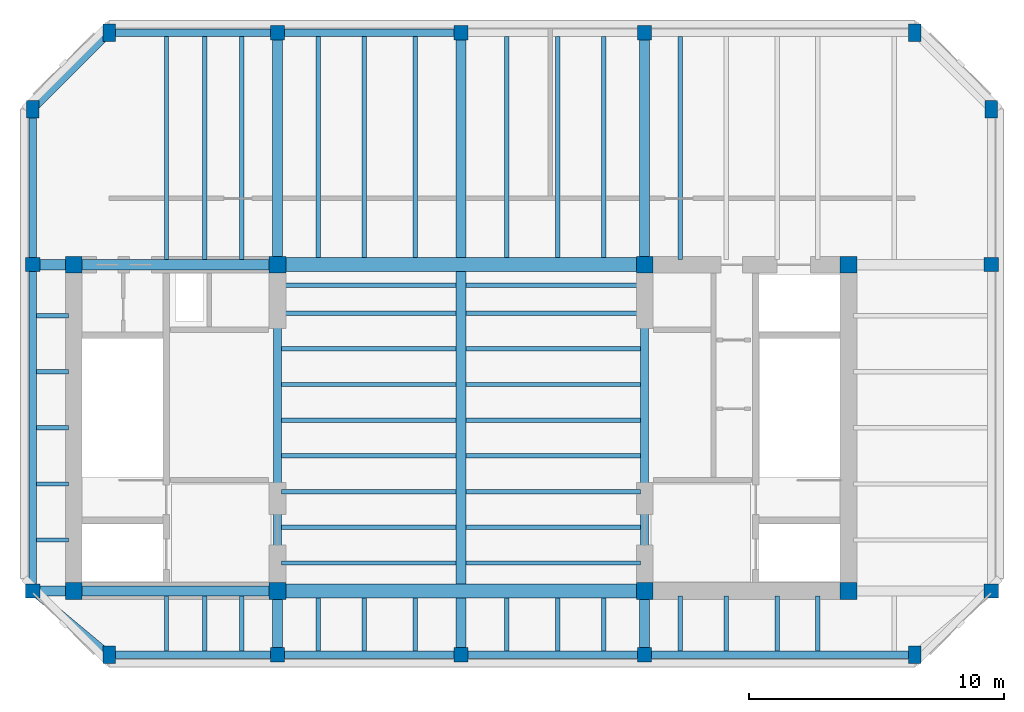
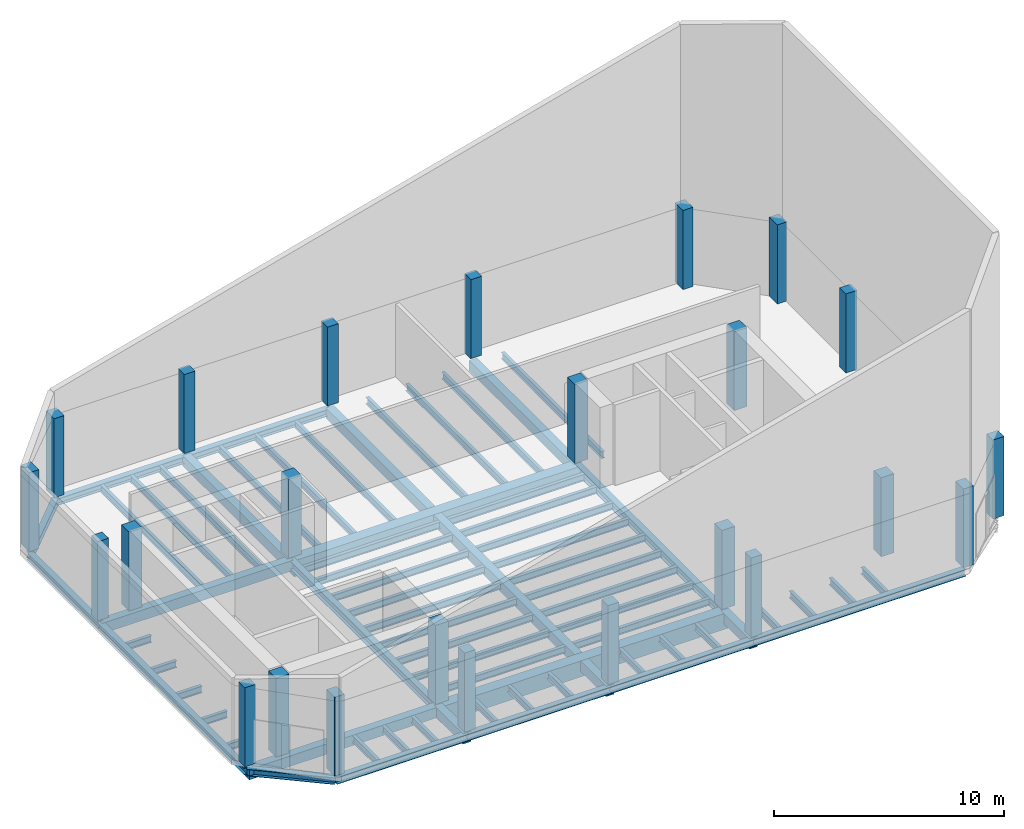
# One storey, part 1 of 4: 69 beams, 24 columns.
"""IFC4 building model written with IfcOpenShell, lengths in metres."""

from ifc_helpers import new_model, si_unit, direction, frame, origin, origin_2d, place, context, subcontext, project, spatial, rectangle, i_section, extrude, material, material_profile, profile_set, type_object, element, save


model = new_model("IFC4")

# Units and contexts
model_context = context("Model", 3, precision=1e-05, world=origin(), true_north=direction((0.0, 1.0)))
body_context = subcontext(model_context, "Body", "Model", "MODEL_VIEW")
ifc_project = project(units=[si_unit("LENGTHUNIT", "METRE"), si_unit("AREAUNIT", "SQUARE_METRE"), si_unit("VOLUMEUNIT", "CUBIC_METRE"), si_unit("PLANEANGLEUNIT", "RADIAN"), si_unit("MASSUNIT", "GRAM", prefix="KILO")], contexts=[model_context])

# Site, building, storey
site_placement = place(None, origin())
site = spatial("IfcSite", under=ifc_project, at=site_placement, CompositionType="ELEMENT")
building_placement = place(site_placement, origin())
building = spatial("IfcBuilding", under=site, at=building_placement, Name="Kranthara Brick Stack", CompositionType="ELEMENT")
storey_placement = place(building_placement, frame((0.0, 0.0, 309.0)))
storey = spatial("IfcBuildingStorey", under=building, at=storey_placement, Name="L81", CompositionType="ELEMENT", Elevation=309.0)

# Columns
ifc_material_1 = material(Name="Concrete C45/55", Category="concrete")
ifc_material_profile_1 = material_profile(ifc_material_1, rectangle(XDim=0.5, YDim=0.699951171875, at=origin_2d()), Name="RC 500x700")
ifc_profile_set_1 = profile_set([ifc_material_profile_1], Name="Concrete C45/55")
column_type_1 = type_object("IfcColumnType", Name="COL-CHAM-500x700", PredefinedType="COLUMN", material=ifc_profile_set_1)
for number, where, z_axis, x_axis, name in (
    (1, (14.199951171875, 18.300048828125, 0.0), (0.0, 0.0, 1.0), (1.0, 0.0, 0.0), "L81 Column 09"),
    (2, (14.199951171875, 42.699951171875, 0.0), (0.0, 0.0, 1.0), (1.0, 0.0, 0.0), "L81 Column 10"),
    (3, (45.800048828125, 18.300048828125, 0.0), (0.0, 0.0, 1.0), (1.0, 0.0, 0.0), "L81 Column 17"),
    (4, (45.800048828125, 42.699951171875, 0.0), (0.0, 0.0, 1.0), (1.0, 0.0, 0.0), "L81 Column 18"),
    (5, (11.199951171875, 39.699951171875, 0.0), (0.0, 0.0, 1.0), (1.0, 0.0, 0.0), "L81 Column 23"),
    (6, (48.800048828125, 39.699951171875, 0.0), (0.0, 0.0, 1.0), (1.0, 0.0, 0.0), "L81 Column 24"),
):
    element("IfcColumn", number, at=place(storey_placement, frame(where, z_axis=z_axis, x_axis=x_axis)), inside=storey, type_object=column_type_1, Name=name, PredefinedType="COLUMN", context=body_context, shape_type="SweptSolid", body=[
        extrude(rectangle(XDim=0.5, YDim=0.699951171875, at=origin_2d()), origin(), (0.0, 0.0, 1.0), 4.199951171875),
    ])
ifc_material_2 = material(Name="Concrete C50/60", Category="concrete")
ifc_material_profile_2 = material_profile(ifc_material_2, rectangle(XDim=0.64990234375, YDim=0.64990234375, at=origin_2d()), Name="RC 650x650")
ifc_profile_set_2 = profile_set([ifc_material_profile_2], Name="Concrete C50/60")
column_type_2 = type_object("IfcColumnType", Name="COL-CORE-650", PredefinedType="COLUMN", material=ifc_profile_set_2)
for number, where, z_axis, x_axis, name in (
    (7, (12.800048828125, 20.800048828125, 0.0), (0.0, 0.0, 1.0), (1.0, 0.0, 0.0), "L81 Column 01"),
    (8, (20.800048828125, 20.800048828125, 0.0), (0.0, 0.0, 1.0), (1.0, 0.0, 0.0), "L81 Column 02"),
    (9, (12.800048828125, 33.60009765625, 0.0), (0.0, 0.0, 1.0), (1.0, 0.0, 0.0), "L81 Column 03"),
    (10, (20.800048828125, 33.60009765625, 0.0), (0.0, 0.0, 1.0), (1.0, 0.0, 0.0), "L81 Column 04"),
    (11, (35.199951171875, 20.800048828125, 0.0), (0.0, 0.0, 1.0), (1.0, 0.0, 0.0), "L81 Column 05"),
    (12, (43.199951171875, 20.800048828125, 0.0), (0.0, 0.0, 1.0), (1.0, 0.0, 0.0), "L81 Column 06"),
    (13, (35.199951171875, 33.60009765625, 0.0), (0.0, 0.0, 1.0), (1.0, 0.0, 0.0), "L81 Column 07"),
    (14, (43.199951171875, 33.60009765625, 0.0), (0.0, 0.0, 1.0), (1.0, 0.0, 0.0), "L81 Column 08"),
):
    element("IfcColumn", number, at=place(storey_placement, frame(where, z_axis=z_axis, x_axis=x_axis)), inside=storey, type_object=column_type_2, Name=name, PredefinedType="COLUMN", context=body_context, shape_type="SweptSolid", body=[
        extrude(rectangle(XDim=0.64990234375, YDim=0.64990234375, at=origin_2d()), origin(), (0.0, 0.0, 1.0), 4.199951171875),
    ])
ifc_material_3 = material(Name="Concrete C45/55", Category="concrete")
ifc_material_profile_3 = material_profile(ifc_material_3, rectangle(XDim=0.550048828125, YDim=0.550048828125, at=origin_2d()), Name="RC 550x550")
ifc_profile_set_3 = profile_set([ifc_material_profile_3], Name="Concrete C45/55")
column_type_3 = type_object("IfcColumnType", Name="COL-PER-550", PredefinedType="COLUMN", material=ifc_profile_set_3)
for number, where, z_axis, x_axis, name in (
    (15, (20.800048828125, 18.300048828125, 0.0), (0.0, 0.0, 1.0), (1.0, 0.0, 0.0), "L81 Column 11"),
    (16, (20.800048828125, 42.699951171875, 0.0), (0.0, 0.0, 1.0), (1.0, 0.0, 0.0), "L81 Column 12"),
    (17, (28.0, 18.300048828125, 0.0), (0.0, 0.0, 1.0), (1.0, 0.0, 0.0), "L81 Column 13"),
    (18, (28.0, 42.699951171875, 0.0), (0.0, 0.0, 1.0), (1.0, 0.0, 0.0), "L81 Column 14"),
    (19, (35.199951171875, 18.300048828125, 0.0), (0.0, 0.0, 1.0), (1.0, 0.0, 0.0), "L81 Column 15"),
    (20, (35.199951171875, 42.699951171875, 0.0), (0.0, 0.0, 1.0), (1.0, 0.0, 0.0), "L81 Column 16"),
    (21, (11.199951171875, 20.800048828125, 0.0), (0.0, 0.0, 1.0), (1.0, 0.0, 0.0), "L81 Column 19"),
    (22, (48.800048828125, 20.800048828125, 0.0), (0.0, 0.0, 1.0), (1.0, 0.0, 0.0), "L81 Column 20"),
    (23, (11.199951171875, 33.60009765625, 0.0), (0.0, 0.0, 1.0), (1.0, 0.0, 0.0), "L81 Column 21"),
    (24, (48.800048828125, 33.60009765625, 0.0), (0.0, 0.0, 1.0), (1.0, 0.0, 0.0), "L81 Column 22"),
):
    element("IfcColumn", number, at=place(storey_placement, frame(where, z_axis=z_axis, x_axis=x_axis)), inside=storey, type_object=column_type_3, Name=name, PredefinedType="COLUMN", context=body_context, shape_type="SweptSolid", body=[
        extrude(rectangle(XDim=0.550048828125, YDim=0.550048828125, at=origin_2d()), origin(), (0.0, 0.0, 1.0), 4.199951171875),
    ])

# Beams
ifc_material_4 = material(Name="Concrete C50/60", Category="concrete")
ifc_material_profile_4 = material_profile(ifc_material_4, rectangle(XDim=0.550048828125, YDim=0.85009765625, at=origin_2d()), Name="RC 550x850")
ifc_profile_set_4 = profile_set([ifc_material_profile_4], Name="Concrete C50/60")
beam_type_1 = type_object("IfcBeamType", Name="BM-CPL-RC850", PredefinedType="LINTEL", material=ifc_profile_set_4)
for number, where, z_axis, x_axis, name in (
    (25, (20.800048828125, 20.800048828125, -0.705078125), (1.0, 0.0, 0.0), (0.0, 1.0, 0.0), "L81 Core Coupling Beam 001"),
    (26, (20.800048828125, 33.60009765625, -0.705078125), (1.0, 0.0, 0.0), (0.0, 1.0, 0.0), "L81 Core Coupling Beam 002"),
):
    element("IfcBeam", number, at=place(storey_placement, frame(where, z_axis=z_axis, x_axis=x_axis)), inside=storey, type_object=beam_type_1, Name=name, PredefinedType="LINTEL", context=body_context, shape_type="SweptSolid", body=[
        extrude(rectangle(XDim=0.550048828125, YDim=0.85009765625, at=origin_2d()), origin(), (0.0, 0.0, 1.0), 14.39990234375),
    ])
ifc_material_5 = material(Name="Post-tensioned concrete C45/55", Category="concrete")
ifc_material_profile_5 = material_profile(ifc_material_5, rectangle(XDim=0.39990234375, YDim=0.550048828125, at=origin_2d()), Name="PT 400x550")
ifc_profile_set_5 = profile_set([ifc_material_profile_5], Name="Post-tensioned concrete C45/55")
beam_type_2 = type_object("IfcBeamType", Name="BM-FLR-PT550", PredefinedType="BEAM", material=ifc_profile_set_5)
beam_1_placement = place(storey_placement, frame((20.800048828125, 18.300048828125, -0.554931640625), z_axis=(0.0, 1.0, 0.0), x_axis=(-1.0, 0.0, 0.0)))
element("IfcBeam", 27, at=beam_1_placement, inside=storey, type_object=beam_type_2, Name="L81 Primary Grid Girder 021", PredefinedType="BEAM", context=body_context, shape_type="SweptSolid", body=[
    extrude(rectangle(XDim=0.39990234375, YDim=0.550048828125, at=origin_2d()), origin(), (0.0, 0.0, 1.0), 2.5),
])
beam_2_placement = place(storey_placement, frame((20.800048828125, 33.60009765625, -0.554931640625), z_axis=(0.0, 1.0, 0.0), x_axis=(-1.0, 0.0, 0.0)))
element("IfcBeam", 28, at=beam_2_placement, inside=storey, type_object=beam_type_2, Name="L81 Primary Grid Girder 022", PredefinedType="BEAM", context=body_context, shape_type="SweptSolid", body=[
    extrude(rectangle(XDim=0.39990234375, YDim=0.550048828125, at=origin_2d()), origin(), (0.0, 0.0, 1.0), 9.099853515625),
])
beam_3_placement = place(storey_placement, frame((28.0, 18.300048828125, -0.554931640625), z_axis=(0.0, 1.0, 0.0), x_axis=(-1.0, 0.0, 0.0)))
element("IfcBeam", 29, at=beam_3_placement, inside=storey, type_object=beam_type_2, Name="L81 Primary Grid Girder 023", PredefinedType="BEAM", context=body_context, shape_type="SweptSolid", body=[
    extrude(rectangle(XDim=0.39990234375, YDim=0.550048828125, at=origin_2d()), origin(), (0.0, 0.0, 1.0), 2.224853515625),
])
beam_4_placement = place(storey_placement, frame((28.0, 21.074951171875, -0.554931640625), z_axis=(0.0, 1.0, 0.0), x_axis=(-1.0, 0.0, 0.0)))
element("IfcBeam", 30, at=beam_4_placement, inside=storey, type_object=beam_type_2, Name="L81 Central Spine Girder 024", PredefinedType="BEAM", context=body_context, shape_type="SweptSolid", body=[
    extrude(rectangle(XDim=0.39990234375, YDim=0.550048828125, at=origin_2d()), origin(), (0.0, 0.0, 1.0), 12.25),
])
beam_5_placement = place(storey_placement, frame((28.0, 33.875, -0.554931640625), z_axis=(0.0, 1.0, 0.0), x_axis=(-1.0, 0.0, 0.0)))
element("IfcBeam", 31, at=beam_5_placement, inside=storey, type_object=beam_type_2, Name="L81 Primary Grid Girder 025", PredefinedType="BEAM", context=body_context, shape_type="SweptSolid", body=[
    extrude(rectangle(XDim=0.39990234375, YDim=0.550048828125, at=origin_2d()), origin(), (0.0, 0.0, 1.0), 8.824951171875),
])
beam_6_placement = place(storey_placement, frame((35.199951171875, 18.300048828125, -0.554931640625), z_axis=(0.0, 1.0, 0.0), x_axis=(-1.0, 0.0, 0.0)))
element("IfcBeam", 32, at=beam_6_placement, inside=storey, type_object=beam_type_2, Name="L81 Primary Grid Girder 026", PredefinedType="BEAM", context=body_context, shape_type="SweptSolid", body=[
    extrude(rectangle(XDim=0.39990234375, YDim=0.550048828125, at=origin_2d()), origin(), (0.0, 0.0, 1.0), 2.5),
])
beam_7_placement = place(storey_placement, frame((35.199951171875, 33.60009765625, -0.554931640625), z_axis=(0.0, 1.0, 0.0), x_axis=(-1.0, 0.0, 0.0)))
element("IfcBeam", 33, at=beam_7_placement, inside=storey, type_object=beam_type_2, Name="L81 Primary Grid Girder 027", PredefinedType="BEAM", context=body_context, shape_type="SweptSolid", body=[
    extrude(rectangle(XDim=0.39990234375, YDim=0.550048828125, at=origin_2d()), origin(), (0.0, 0.0, 1.0), 9.099853515625),
])
for number, where, z_axis, x_axis, name in (
    (34, (11.199951171875, 20.800048828125, -0.554931640625), (1.0, 0.0, 0.0), (0.0, 1.0, 0.0), "L81 Primary Grid Girder 028"),
    (35, (11.199951171875, 33.60009765625, -0.554931640625), (1.0, 0.0, 0.0), (0.0, 1.0, 0.0), "L81 Primary Grid Girder 030"),
):
    element("IfcBeam", number, at=place(storey_placement, frame(where, z_axis=z_axis, x_axis=x_axis)), inside=storey, type_object=beam_type_2, Name=name, PredefinedType="BEAM", context=body_context, shape_type="SweptSolid", body=[
        extrude(rectangle(XDim=0.39990234375, YDim=0.550048828125, at=origin_2d()), origin(), (0.0, 0.0, 1.0), 9.60009765625),
    ])
ifc_material_6 = material(Name="Steel S355", Category="steel")
ifc_material_profile_6 = material_profile(ifc_material_6, i_section(OverallWidth=0.169921875, OverallDepth=0.360107421875, WebThickness=0.008056640625, FlangeThickness=0.0126953125, at=origin_2d()), Name="IPE 360")
ifc_profile_set_6 = profile_set([ifc_material_profile_6], Name="Steel S355")
beam_type_3 = type_object("IfcBeamType", Name="BM-JST-IPE360", PredefinedType="JOIST", material=ifc_profile_set_6)
for number, where, z_axis, x_axis, name in (
    (36, (20.949951171875, 21.89990234375, -0.4599609375), (1.0, 0.0, 0.0), (0.0, 1.0, 0.0), "L81 Central Floor Joist 032"),
    (37, (28.199951171875, 21.89990234375, -0.4599609375), (1.0, 0.0, 0.0), (0.0, 1.0, 0.0), "L81 Central Floor Joist 033"),
    (38, (20.949951171875, 23.300048828125, -0.4599609375), (1.0, 0.0, 0.0), (0.0, 1.0, 0.0), "L81 Central Floor Joist 034"),
    (39, (28.199951171875, 23.300048828125, -0.4599609375), (1.0, 0.0, 0.0), (0.0, 1.0, 0.0), "L81 Central Floor Joist 035"),
    (40, (20.949951171875, 24.699951171875, -0.4599609375), (1.0, 0.0, 0.0), (0.0, 1.0, 0.0), "L81 Central Floor Joist 036"),
    (41, (28.199951171875, 24.699951171875, -0.4599609375), (1.0, 0.0, 0.0), (0.0, 1.0, 0.0), "L81 Central Floor Joist 037"),
    (42, (20.949951171875, 26.10009765625, -0.4599609375), (1.0, 0.0, 0.0), (0.0, 1.0, 0.0), "L81 Central Floor Joist 038"),
    (43, (28.199951171875, 26.10009765625, -0.4599609375), (1.0, 0.0, 0.0), (0.0, 1.0, 0.0), "L81 Central Floor Joist 039"),
    (44, (20.949951171875, 27.5, -0.4599609375), (1.0, 0.0, 0.0), (0.0, 1.0, 0.0), "L81 Central Floor Joist 040"),
    (45, (28.199951171875, 27.5, -0.4599609375), (1.0, 0.0, 0.0), (0.0, 1.0, 0.0), "L81 Central Floor Joist 041"),
    (46, (20.949951171875, 28.89990234375, -0.4599609375), (1.0, 0.0, 0.0), (0.0, 1.0, 0.0), "L81 Central Floor Joist 042"),
    (47, (28.199951171875, 28.89990234375, -0.4599609375), (1.0, 0.0, 0.0), (0.0, 1.0, 0.0), "L81 Central Floor Joist 043"),
    (48, (20.949951171875, 30.300048828125, -0.4599609375), (1.0, 0.0, 0.0), (0.0, 1.0, 0.0), "L81 Central Floor Joist 044"),
    (49, (28.199951171875, 30.300048828125, -0.4599609375), (1.0, 0.0, 0.0), (0.0, 1.0, 0.0), "L81 Central Floor Joist 045"),
    (50, (20.949951171875, 31.699951171875, -0.4599609375), (1.0, 0.0, 0.0), (0.0, 1.0, 0.0), "L81 Central Floor Joist 046"),
    (51, (28.199951171875, 31.699951171875, -0.4599609375), (1.0, 0.0, 0.0), (0.0, 1.0, 0.0), "L81 Central Floor Joist 047"),
    (52, (20.949951171875, 32.800048828125, -0.4599609375), (1.0, 0.0, 0.0), (0.0, 1.0, 0.0), "L81 Central Floor Joist 048"),
    (53, (28.199951171875, 32.800048828125, -0.4599609375), (1.0, 0.0, 0.0), (0.0, 1.0, 0.0), "L81 Central Floor Joist 049"),
):
    element("IfcBeam", number, at=place(storey_placement, frame(where, z_axis=z_axis, x_axis=x_axis)), inside=storey, type_object=beam_type_3, Name=name, PredefinedType="JOIST", context=body_context, shape_type="SweptSolid", body=[
        extrude(i_section(OverallWidth=0.169921875, OverallDepth=0.360107421875, WebThickness=0.008056640625, FlangeThickness=0.0126953125, at=origin_2d()), origin(), (0.0, 0.0, 1.0), 6.85009765625),
    ])
beam_8_placement = place(storey_placement, frame((16.449951171875, 18.449951171875, -0.4599609375), z_axis=(0.0, 1.0, 0.0), x_axis=(-1.0, 0.0, 0.0)))
element("IfcBeam", 54, at=beam_8_placement, inside=storey, type_object=beam_type_3, Name="L81 South Wing Floor Joist 050", PredefinedType="JOIST", context=body_context, shape_type="SweptSolid", body=[
    extrude(i_section(OverallWidth=0.169921875, OverallDepth=0.360107421875, WebThickness=0.008056640625, FlangeThickness=0.0126953125, at=origin_2d()), origin(), (0.0, 0.0, 1.0), 2.150146484375),
])
beam_9_placement = place(storey_placement, frame((16.449951171875, 33.800048828125, -0.4599609375), z_axis=(0.0, 1.0, 0.0), x_axis=(-1.0, 0.0, 0.0)))
element("IfcBeam", 55, at=beam_9_placement, inside=storey, type_object=beam_type_3, Name="L81 North Wing Floor Joist 051", PredefinedType="JOIST", context=body_context, shape_type="SweptSolid", body=[
    extrude(i_section(OverallWidth=0.169921875, OverallDepth=0.360107421875, WebThickness=0.008056640625, FlangeThickness=0.0126953125, at=origin_2d()), origin(), (0.0, 0.0, 1.0), 8.75),
])
beam_10_placement = place(storey_placement, frame((17.949951171875, 18.449951171875, -0.4599609375), z_axis=(0.0, 1.0, 0.0), x_axis=(-1.0, 0.0, 0.0)))
element("IfcBeam", 56, at=beam_10_placement, inside=storey, type_object=beam_type_3, Name="L81 South Wing Floor Joist 052", PredefinedType="JOIST", context=body_context, shape_type="SweptSolid", body=[
    extrude(i_section(OverallWidth=0.169921875, OverallDepth=0.360107421875, WebThickness=0.008056640625, FlangeThickness=0.0126953125, at=origin_2d()), origin(), (0.0, 0.0, 1.0), 2.150146484375),
])
beam_11_placement = place(storey_placement, frame((17.949951171875, 33.800048828125, -0.4599609375), z_axis=(0.0, 1.0, 0.0), x_axis=(-1.0, 0.0, 0.0)))
element("IfcBeam", 57, at=beam_11_placement, inside=storey, type_object=beam_type_3, Name="L81 North Wing Floor Joist 053", PredefinedType="JOIST", context=body_context, shape_type="SweptSolid", body=[
    extrude(i_section(OverallWidth=0.169921875, OverallDepth=0.360107421875, WebThickness=0.008056640625, FlangeThickness=0.0126953125, at=origin_2d()), origin(), (0.0, 0.0, 1.0), 8.75),
])
beam_12_placement = place(storey_placement, frame((19.39990234375, 18.449951171875, -0.4599609375), z_axis=(0.0, 1.0, 0.0), x_axis=(-1.0, 0.0, 0.0)))
element("IfcBeam", 58, at=beam_12_placement, inside=storey, type_object=beam_type_3, Name="L81 South Wing Floor Joist 054", PredefinedType="JOIST", context=body_context, shape_type="SweptSolid", body=[
    extrude(i_section(OverallWidth=0.169921875, OverallDepth=0.360107421875, WebThickness=0.008056640625, FlangeThickness=0.0126953125, at=origin_2d()), origin(), (0.0, 0.0, 1.0), 2.150146484375),
])
beam_13_placement = place(storey_placement, frame((19.39990234375, 33.800048828125, -0.4599609375), z_axis=(0.0, 1.0, 0.0), x_axis=(-1.0, 0.0, 0.0)))
element("IfcBeam", 59, at=beam_13_placement, inside=storey, type_object=beam_type_3, Name="L81 North Wing Floor Joist 055", PredefinedType="JOIST", context=body_context, shape_type="SweptSolid", body=[
    extrude(i_section(OverallWidth=0.169921875, OverallDepth=0.360107421875, WebThickness=0.008056640625, FlangeThickness=0.0126953125, at=origin_2d()), origin(), (0.0, 0.0, 1.0), 8.75),
])
beam_14_placement = place(storey_placement, frame((22.39990234375, 18.449951171875, -0.4599609375), z_axis=(0.0, 1.0, 0.0), x_axis=(-1.0, 0.0, 0.0)))
element("IfcBeam", 60, at=beam_14_placement, inside=storey, type_object=beam_type_3, Name="L81 South Wing Floor Joist 056", PredefinedType="JOIST", context=body_context, shape_type="SweptSolid", body=[
    extrude(i_section(OverallWidth=0.169921875, OverallDepth=0.360107421875, WebThickness=0.008056640625, FlangeThickness=0.0126953125, at=origin_2d()), origin(), (0.0, 0.0, 1.0), 2.074951171875),
])
beam_15_placement = place(storey_placement, frame((22.39990234375, 33.875, -0.4599609375), z_axis=(0.0, 1.0, 0.0), x_axis=(-1.0, 0.0, 0.0)))
element("IfcBeam", 61, at=beam_15_placement, inside=storey, type_object=beam_type_3, Name="L81 North Wing Floor Joist 057", PredefinedType="JOIST", context=body_context, shape_type="SweptSolid", body=[
    extrude(i_section(OverallWidth=0.169921875, OverallDepth=0.360107421875, WebThickness=0.008056640625, FlangeThickness=0.0126953125, at=origin_2d()), origin(), (0.0, 0.0, 1.0), 8.675048828125),
])
beam_16_placement = place(storey_placement, frame((24.199951171875, 18.449951171875, -0.4599609375), z_axis=(0.0, 1.0, 0.0), x_axis=(-1.0, 0.0, 0.0)))
element("IfcBeam", 62, at=beam_16_placement, inside=storey, type_object=beam_type_3, Name="L81 South Wing Floor Joist 058", PredefinedType="JOIST", context=body_context, shape_type="SweptSolid", body=[
    extrude(i_section(OverallWidth=0.169921875, OverallDepth=0.360107421875, WebThickness=0.008056640625, FlangeThickness=0.0126953125, at=origin_2d()), origin(), (0.0, 0.0, 1.0), 2.074951171875),
])
beam_17_placement = place(storey_placement, frame((24.199951171875, 33.875, -0.4599609375), z_axis=(0.0, 1.0, 0.0), x_axis=(-1.0, 0.0, 0.0)))
element("IfcBeam", 63, at=beam_17_placement, inside=storey, type_object=beam_type_3, Name="L81 North Wing Floor Joist 059", PredefinedType="JOIST", context=body_context, shape_type="SweptSolid", body=[
    extrude(i_section(OverallWidth=0.169921875, OverallDepth=0.360107421875, WebThickness=0.008056640625, FlangeThickness=0.0126953125, at=origin_2d()), origin(), (0.0, 0.0, 1.0), 8.675048828125),
])
beam_18_placement = place(storey_placement, frame((26.199951171875, 18.449951171875, -0.4599609375), z_axis=(0.0, 1.0, 0.0), x_axis=(-1.0, 0.0, 0.0)))
element("IfcBeam", 64, at=beam_18_placement, inside=storey, type_object=beam_type_3, Name="L81 South Wing Floor Joist 060", PredefinedType="JOIST", context=body_context, shape_type="SweptSolid", body=[
    extrude(i_section(OverallWidth=0.169921875, OverallDepth=0.360107421875, WebThickness=0.008056640625, FlangeThickness=0.0126953125, at=origin_2d()), origin(), (0.0, 0.0, 1.0), 2.074951171875),
])
beam_19_placement = place(storey_placement, frame((26.199951171875, 33.875, -0.4599609375), z_axis=(0.0, 1.0, 0.0), x_axis=(-1.0, 0.0, 0.0)))
element("IfcBeam", 65, at=beam_19_placement, inside=storey, type_object=beam_type_3, Name="L81 North Wing Floor Joist 061", PredefinedType="JOIST", context=body_context, shape_type="SweptSolid", body=[
    extrude(i_section(OverallWidth=0.169921875, OverallDepth=0.360107421875, WebThickness=0.008056640625, FlangeThickness=0.0126953125, at=origin_2d()), origin(), (0.0, 0.0, 1.0), 8.675048828125),
])
beam_20_placement = place(storey_placement, frame((29.800048828125, 18.449951171875, -0.4599609375), z_axis=(0.0, 1.0, 0.0), x_axis=(-1.0, 0.0, 0.0)))
element("IfcBeam", 66, at=beam_20_placement, inside=storey, type_object=beam_type_3, Name="L81 South Wing Floor Joist 062", PredefinedType="JOIST", context=body_context, shape_type="SweptSolid", body=[
    extrude(i_section(OverallWidth=0.169921875, OverallDepth=0.360107421875, WebThickness=0.008056640625, FlangeThickness=0.0126953125, at=origin_2d()), origin(), (0.0, 0.0, 1.0), 2.074951171875),
])
beam_21_placement = place(storey_placement, frame((29.800048828125, 33.875, -0.4599609375), z_axis=(0.0, 1.0, 0.0), x_axis=(-1.0, 0.0, 0.0)))
element("IfcBeam", 67, at=beam_21_placement, inside=storey, type_object=beam_type_3, Name="L81 North Wing Floor Joist 063", PredefinedType="JOIST", context=body_context, shape_type="SweptSolid", body=[
    extrude(i_section(OverallWidth=0.169921875, OverallDepth=0.360107421875, WebThickness=0.008056640625, FlangeThickness=0.0126953125, at=origin_2d()), origin(), (0.0, 0.0, 1.0), 8.675048828125),
])
beam_22_placement = place(storey_placement, frame((31.800048828125, 18.449951171875, -0.4599609375), z_axis=(0.0, 1.0, 0.0), x_axis=(-1.0, 0.0, 0.0)))
element("IfcBeam", 68, at=beam_22_placement, inside=storey, type_object=beam_type_3, Name="L81 South Wing Floor Joist 064", PredefinedType="JOIST", context=body_context, shape_type="SweptSolid", body=[
    extrude(i_section(OverallWidth=0.169921875, OverallDepth=0.360107421875, WebThickness=0.008056640625, FlangeThickness=0.0126953125, at=origin_2d()), origin(), (0.0, 0.0, 1.0), 2.074951171875),
])
beam_23_placement = place(storey_placement, frame((31.800048828125, 33.875, -0.4599609375), z_axis=(0.0, 1.0, 0.0), x_axis=(-1.0, 0.0, 0.0)))
element("IfcBeam", 69, at=beam_23_placement, inside=storey, type_object=beam_type_3, Name="L81 North Wing Floor Joist 065", PredefinedType="JOIST", context=body_context, shape_type="SweptSolid", body=[
    extrude(i_section(OverallWidth=0.169921875, OverallDepth=0.360107421875, WebThickness=0.008056640625, FlangeThickness=0.0126953125, at=origin_2d()), origin(), (0.0, 0.0, 1.0), 8.675048828125),
])
beam_24_placement = place(storey_placement, frame((33.60009765625, 18.449951171875, -0.4599609375), z_axis=(0.0, 1.0, 0.0), x_axis=(-1.0, 0.0, 0.0)))
element("IfcBeam", 70, at=beam_24_placement, inside=storey, type_object=beam_type_3, Name="L81 South Wing Floor Joist 066", PredefinedType="JOIST", context=body_context, shape_type="SweptSolid", body=[
    extrude(i_section(OverallWidth=0.169921875, OverallDepth=0.360107421875, WebThickness=0.008056640625, FlangeThickness=0.0126953125, at=origin_2d()), origin(), (0.0, 0.0, 1.0), 2.074951171875),
])
beam_25_placement = place(storey_placement, frame((33.60009765625, 33.875, -0.4599609375), z_axis=(0.0, 1.0, 0.0), x_axis=(-1.0, 0.0, 0.0)))
element("IfcBeam", 71, at=beam_25_placement, inside=storey, type_object=beam_type_3, Name="L81 North Wing Floor Joist 067", PredefinedType="JOIST", context=body_context, shape_type="SweptSolid", body=[
    extrude(i_section(OverallWidth=0.169921875, OverallDepth=0.360107421875, WebThickness=0.008056640625, FlangeThickness=0.0126953125, at=origin_2d()), origin(), (0.0, 0.0, 1.0), 8.675048828125),
])
beam_26_placement = place(storey_placement, frame((36.60009765625, 18.449951171875, -0.4599609375), z_axis=(0.0, 1.0, 0.0), x_axis=(-1.0, 0.0, 0.0)))
element("IfcBeam", 72, at=beam_26_placement, inside=storey, type_object=beam_type_3, Name="L81 South Wing Floor Joist 068", PredefinedType="JOIST", context=body_context, shape_type="SweptSolid", body=[
    extrude(i_section(OverallWidth=0.169921875, OverallDepth=0.360107421875, WebThickness=0.008056640625, FlangeThickness=0.0126953125, at=origin_2d()), origin(), (0.0, 0.0, 1.0), 2.150146484375),
])
beam_27_placement = place(storey_placement, frame((36.60009765625, 33.800048828125, -0.4599609375), z_axis=(0.0, 1.0, 0.0), x_axis=(-1.0, 0.0, 0.0)))
element("IfcBeam", 73, at=beam_27_placement, inside=storey, type_object=beam_type_3, Name="L81 North Wing Floor Joist 069", PredefinedType="JOIST", context=body_context, shape_type="SweptSolid", body=[
    extrude(i_section(OverallWidth=0.169921875, OverallDepth=0.360107421875, WebThickness=0.008056640625, FlangeThickness=0.0126953125, at=origin_2d()), origin(), (0.0, 0.0, 1.0), 8.75),
])
for number, where, z_axis, x_axis, name in (
    (74, (38.39990234375, 18.449951171875, -0.4599609375), (0.0, 1.0, 0.0), (-1.0, 0.0, 0.0), "L81 South Wing Floor Joist 070"),
    (75, (40.39990234375, 18.449951171875, -0.4599609375), (0.0, 1.0, 0.0), (-1.0, 0.0, 0.0), "L81 South Wing Floor Joist 072"),
    (76, (42.0, 18.449951171875, -0.4599609375), (0.0, 1.0, 0.0), (-1.0, 0.0, 0.0), "L81 South Wing Floor Joist 074"),
):
    element("IfcBeam", number, at=place(storey_placement, frame(where, z_axis=z_axis, x_axis=x_axis)), inside=storey, type_object=beam_type_3, Name=name, PredefinedType="JOIST", context=body_context, shape_type="SweptSolid", body=[
        extrude(i_section(OverallWidth=0.169921875, OverallDepth=0.360107421875, WebThickness=0.008056640625, FlangeThickness=0.0126953125, at=origin_2d()), origin(), (0.0, 0.0, 1.0), 2.150146484375),
    ])
for number, where, z_axis, x_axis, name in (
    (77, (11.35009765625, 22.800048828125, -0.4599609375), (1.0, 0.0, 0.0), (0.0, 1.0, 0.0), "L81 West Wing Floor Joist 078"),
    (78, (11.35009765625, 25.0, -0.4599609375), (1.0, 0.0, 0.0), (0.0, 1.0, 0.0), "L81 West Wing Floor Joist 080"),
    (79, (11.35009765625, 27.199951171875, -0.4599609375), (1.0, 0.0, 0.0), (0.0, 1.0, 0.0), "L81 West Wing Floor Joist 082"),
    (80, (11.35009765625, 29.39990234375, -0.4599609375), (1.0, 0.0, 0.0), (0.0, 1.0, 0.0), "L81 West Wing Floor Joist 084"),
    (81, (11.35009765625, 31.60009765625, -0.4599609375), (1.0, 0.0, 0.0), (0.0, 1.0, 0.0), "L81 West Wing Floor Joist 086"),
):
    element("IfcBeam", number, at=place(storey_placement, frame(where, z_axis=z_axis, x_axis=x_axis)), inside=storey, type_object=beam_type_3, Name=name, PredefinedType="JOIST", context=body_context, shape_type="SweptSolid", body=[
        extrude(i_section(OverallWidth=0.169921875, OverallDepth=0.360107421875, WebThickness=0.008056640625, FlangeThickness=0.0126953125, at=origin_2d()), origin(), (0.0, 0.0, 1.0), 1.25),
    ])
ifc_material_7 = material(Name="Steel S355", Category="steel")
ifc_material_profile_7 = material_profile(ifc_material_7, i_section(OverallWidth=0.300048828125, OverallDepth=0.360107421875, WebThickness=0.012451171875, FlangeThickness=0.0224609375, at=origin_2d()), Name="HEB 360")
ifc_profile_set_7 = profile_set([ifc_material_profile_7], Name="Steel S355")
beam_type_4 = type_object("IfcBeamType", Name="BM-STL-HEB360", PredefinedType="SPANDREL", material=ifc_profile_set_7)
beam_28_placement = place(storey_placement, frame((14.199951171875, 18.300048828125, -0.4599609375), z_axis=(1.0, 0.0, 0.0), x_axis=(0.0, 1.0, 0.0)))
element("IfcBeam", 82, at=beam_28_placement, inside=storey, type_object=beam_type_4, Name="L81 Perimeter Spandrel Beam 005", PredefinedType="SPANDREL", context=body_context, shape_type="SweptSolid", body=[
    extrude(i_section(OverallWidth=0.300048828125, OverallDepth=0.360107421875, WebThickness=0.012451171875, FlangeThickness=0.0224609375, at=origin_2d()), origin(), (0.0, 0.0, 1.0), 6.60009765625),
])
for number, where, z_axis, x_axis, name in (
    (83, (20.800048828125, 18.300048828125, -0.4599609375), (1.0, 0.0, 0.0), (0.0, 1.0, 0.0), "L81 Perimeter Spandrel Beam 006"),
    (84, (28.0, 18.300048828125, -0.4599609375), (1.0, 0.0, 0.0), (0.0, 1.0, 0.0), "L81 Perimeter Spandrel Beam 007"),
):
    element("IfcBeam", number, at=place(storey_placement, frame(where, z_axis=z_axis, x_axis=x_axis)), inside=storey, type_object=beam_type_4, Name=name, PredefinedType="SPANDREL", context=body_context, shape_type="SweptSolid", body=[
        extrude(i_section(OverallWidth=0.300048828125, OverallDepth=0.360107421875, WebThickness=0.012451171875, FlangeThickness=0.0224609375, at=origin_2d()), origin(), (0.0, 0.0, 1.0), 7.199951171875),
    ])
beam_29_placement = place(storey_placement, frame((35.199951171875, 18.300048828125, -0.4599609375), z_axis=(1.0, 0.0, 0.0), x_axis=(0.0, 1.0, 0.0)))
element("IfcBeam", 85, at=beam_29_placement, inside=storey, type_object=beam_type_4, Name="L81 Perimeter Spandrel Beam 008", PredefinedType="SPANDREL", context=body_context, shape_type="SweptSolid", body=[
    extrude(i_section(OverallWidth=0.300048828125, OverallDepth=0.360107421875, WebThickness=0.012451171875, FlangeThickness=0.0224609375, at=origin_2d()), origin(), (0.0, 0.0, 1.0), 10.60009765625),
])
beam_30_placement = place(storey_placement, frame((14.199951171875, 42.699951171875, -0.4599609375), z_axis=(1.0, 0.0, 0.0), x_axis=(0.0, 1.0, 0.0)))
element("IfcBeam", 86, at=beam_30_placement, inside=storey, type_object=beam_type_4, Name="L81 Perimeter Spandrel Beam 009", PredefinedType="SPANDREL", context=body_context, shape_type="SweptSolid", body=[
    extrude(i_section(OverallWidth=0.300048828125, OverallDepth=0.360107421875, WebThickness=0.012451171875, FlangeThickness=0.0224609375, at=origin_2d()), origin(), (0.0, 0.0, 1.0), 6.60009765625),
])
beam_31_placement = place(storey_placement, frame((20.800048828125, 42.699951171875, -0.4599609375), z_axis=(1.0, 0.0, 0.0), x_axis=(0.0, 1.0, 0.0)))
element("IfcBeam", 87, at=beam_31_placement, inside=storey, type_object=beam_type_4, Name="L81 Perimeter Spandrel Beam 010", PredefinedType="SPANDREL", context=body_context, shape_type="SweptSolid", body=[
    extrude(i_section(OverallWidth=0.300048828125, OverallDepth=0.360107421875, WebThickness=0.012451171875, FlangeThickness=0.0224609375, at=origin_2d()), origin(), (0.0, 0.0, 1.0), 7.199951171875),
])
beam_32_placement = place(storey_placement, frame((11.199951171875, 20.800048828125, -0.4599609375), z_axis=(0.0, 1.0, 0.0), x_axis=(-1.0, 0.0, 0.0)))
element("IfcBeam", 88, at=beam_32_placement, inside=storey, type_object=beam_type_4, Name="L81 Perimeter Spandrel Beam 013", PredefinedType="SPANDREL", context=body_context, shape_type="SweptSolid", body=[
    extrude(i_section(OverallWidth=0.300048828125, OverallDepth=0.360107421875, WebThickness=0.012451171875, FlangeThickness=0.0224609375, at=origin_2d()), origin(), (0.0, 0.0, 1.0), 12.800048828125),
])
beam_33_placement = place(storey_placement, frame((11.199951171875, 33.60009765625, -0.4599609375), z_axis=(0.0, 1.0, 0.0), x_axis=(-1.0, 0.0, 0.0)))
element("IfcBeam", 89, at=beam_33_placement, inside=storey, type_object=beam_type_4, Name="L81 Perimeter Spandrel Beam 014", PredefinedType="SPANDREL", context=body_context, shape_type="SweptSolid", body=[
    extrude(i_section(OverallWidth=0.300048828125, OverallDepth=0.360107421875, WebThickness=0.012451171875, FlangeThickness=0.0224609375, at=origin_2d()), origin(), (0.0, 0.0, 1.0), 6.099853515625),
])
beam_34_placement = place(storey_placement, frame((14.199951171875, 18.300048828125, -0.4599609375), z_axis=(-0.768221279597, 0.640184399664, 0.0), x_axis=(-0.640184399664, -0.768221279597, 0.0)))
element("IfcBeam", 90, at=beam_34_placement, inside=storey, type_object=beam_type_4, Name="L81 Chamfer Corner Spandrel 017", PredefinedType="SPANDREL", context=body_context, shape_type="SweptSolid", body=[
    extrude(i_section(OverallWidth=0.300048828125, OverallDepth=0.360107421875, WebThickness=0.012451171875, FlangeThickness=0.0224609375, at=origin_2d()), origin(), (0.0, 0.0, 1.0), 3.905029296875),
])
beam_35_placement = place(storey_placement, frame((14.199951171875, 42.699951171875, -0.4599609375), z_axis=(-0.707106781187, -0.707106781187, 0.0), x_axis=(0.707106781187, -0.707106781187, 0.0)))
element("IfcBeam", 91, at=beam_35_placement, inside=storey, type_object=beam_type_4, Name="L81 Chamfer Corner Spandrel 019", PredefinedType="SPANDREL", context=body_context, shape_type="SweptSolid", body=[
    extrude(i_section(OverallWidth=0.300048828125, OverallDepth=0.360107421875, WebThickness=0.012451171875, FlangeThickness=0.0224609375, at=origin_2d()), origin(), (0.0, 0.0, 1.0), 4.24267578125),
])
ifc_material_8 = material(Name="Steel S355", Category="steel")
ifc_material_profile_8 = material_profile(ifc_material_8, i_section(OverallWidth=0.300048828125, OverallDepth=0.449951171875, WebThickness=0.013916015625, FlangeThickness=0.02587890625, at=origin_2d()), Name="HEB 450")
ifc_profile_set_8 = profile_set([ifc_material_profile_8], Name="Steel S355")
beam_type_5 = type_object("IfcBeamType", Name="BM-STL-HEB450", PredefinedType="SPANDREL", material=ifc_profile_set_8)
for number, where, z_axis, x_axis, name in (
    (92, (20.800048828125, 20.800048828125, -0.5048828125), (0.0, 1.0, 0.0), (-1.0, 0.0, 0.0), "L81 Core Edge Tie Beam 003"),
    (93, (35.199951171875, 20.800048828125, -0.5048828125), (0.0, 1.0, 0.0), (-1.0, 0.0, 0.0), "L81 Core Edge Tie Beam 004"),
):
    element("IfcBeam", number, at=place(storey_placement, frame(where, z_axis=z_axis, x_axis=x_axis)), inside=storey, type_object=beam_type_5, Name=name, PredefinedType="SPANDREL", context=body_context, shape_type="SweptSolid", body=[
        extrude(i_section(OverallWidth=0.300048828125, OverallDepth=0.449951171875, WebThickness=0.013916015625, FlangeThickness=0.02587890625, at=origin_2d()), origin(), (0.0, 0.0, 1.0), 12.800048828125),
    ])

save(model, "model.ifc")
